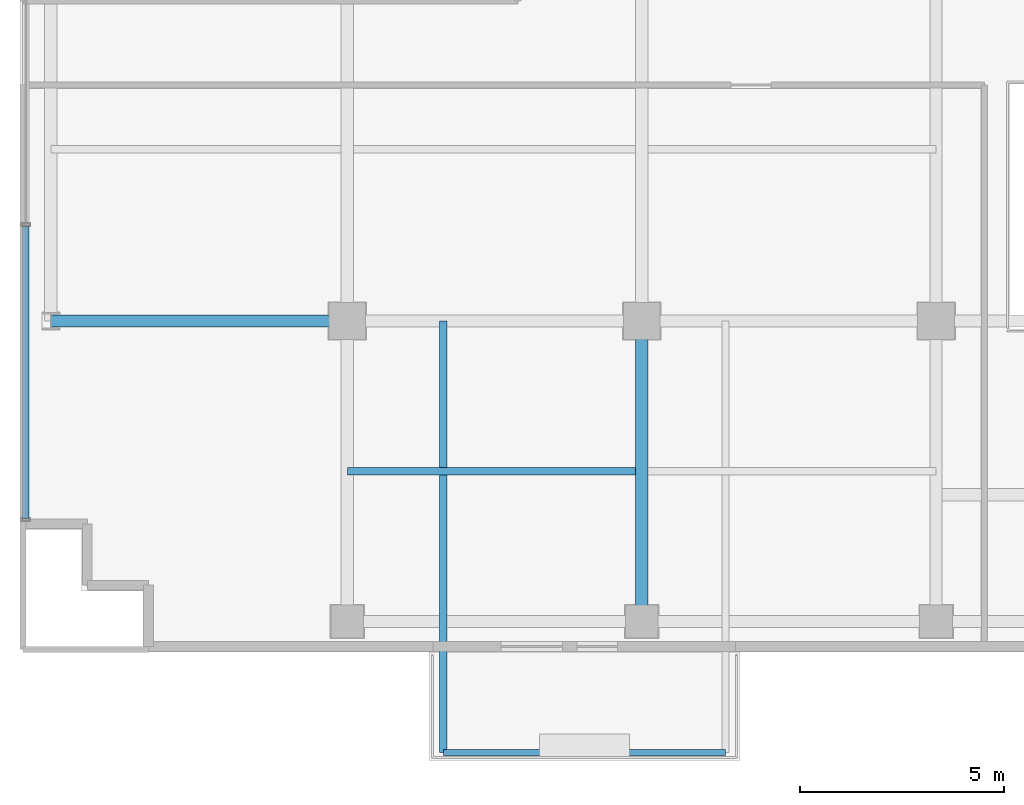
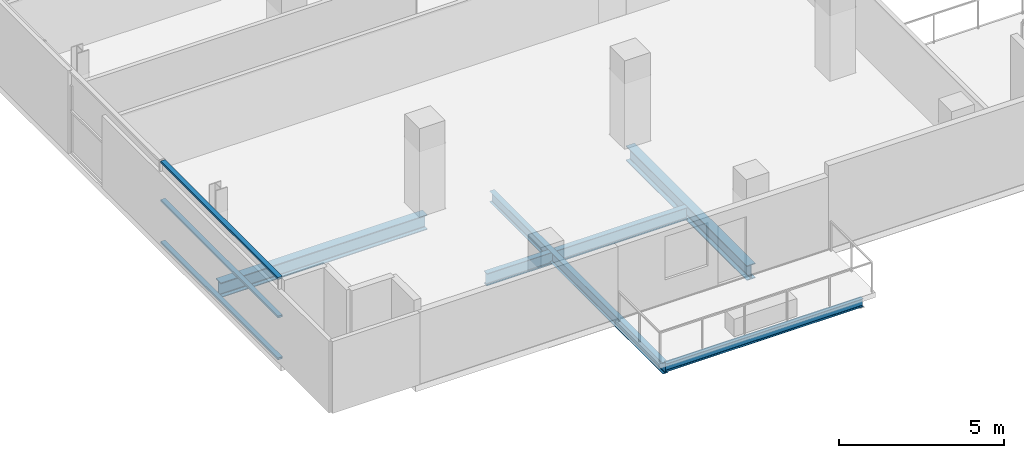
# One storey, part 3 of 27: 5 beams, 3 members, 1 element without a shape of its own.
"""IFC4 building model written with IfcOpenShell, lengths in metres."""

from ifc_helpers import new_model, si_unit, direction, frame, origin, origin_2d, place, context, subcontext, project, spatial, hollow_rectangle, i_section, extrude, source, transform, mapped, material, layer, layer_set, material_profile, profile_set, type_object, element, aggregate, save


model = new_model("IFC4")

# Units and contexts
model_context = context("Model", 3, precision=1e-05, world=origin(), true_north=direction((0.0, 1.0)))
body_context = subcontext(model_context, "Body", "Model", "MODEL_VIEW")
ifc_project = project(units=[si_unit("LENGTHUNIT", "METRE"), si_unit("AREAUNIT", "SQUARE_METRE"), si_unit("VOLUMEUNIT", "CUBIC_METRE"), si_unit("PLANEANGLEUNIT", "RADIAN"), si_unit("MASSUNIT", "GRAM", prefix="KILO")], contexts=[model_context])

# Site, building, storey
site_placement = place(None, origin())
site = spatial("IfcSite", under=ifc_project, at=site_placement, CompositionType="ELEMENT")
building_placement = place(site_placement, origin())
building = spatial("IfcBuilding", under=site, at=building_placement, Name="Zarnakvel Exchange Tower", CompositionType="ELEMENT")
storey_placement = place(building_placement, frame((0.0, 0.0, 106.60009765625)))
storey = spatial("IfcBuildingStorey", under=building, at=storey_placement, Name="L29", CompositionType="ELEMENT", Elevation=106.60009765625)

# Beams
ifc_material_1 = material(Name="Steel S355", Category="steel")
ifc_material_profile_1 = material_profile(ifc_material_1, i_section(OverallWidth=0.18994140625, OverallDepth=0.449951171875, WebThickness=0.009521484375, FlangeThickness=0.0146484375, FilletRadius=0.02099609375, at=origin_2d()))
ifc_profile_set_1 = profile_set([ifc_material_profile_1], Name="Steel S355")
beam_type_1 = type_object("IfcBeamType", Name="B-05", PredefinedType="JOIST", material=ifc_profile_set_1)
beam_1_placement = place(storey_placement, frame((-21.60009765625, -13.27490234375, -0.4501953125), z_axis=(1.0, 0.0, 0.0), x_axis=(0.0, 1.0, 0.0)))
element("IfcBeam", 1, at=beam_1_placement, inside=storey, type_object=beam_type_1, Name="L29 Composite Floor Secondary Joist", PredefinedType="JOIST", context=body_context, shape_type="SweptSolid", body=[
    extrude(i_section(OverallWidth=0.18994140625, OverallDepth=0.449951171875, WebThickness=0.009521484375, FlangeThickness=0.0146484375, FilletRadius=0.02099609375, at=origin_2d()), origin(), (0.0, 0.0, 1.0), 7.050048828125),
])
ifc_material_profile_2 = material_profile(ifc_material_1, i_section(OverallWidth=0.179931640625, OverallDepth=0.39990234375, WebThickness=0.008544921875, FlangeThickness=0.013427734375, FilletRadius=0.02099609375, at=origin_2d()))
ifc_profile_set_2 = profile_set([ifc_material_profile_2], Name="Steel S355")
beam_type_2 = type_object("IfcBeamType", Name="B-06", PredefinedType="JOIST", material=ifc_profile_set_2)
beam_2_placement = place(storey_placement, frame((-19.25, -9.60009765625, -0.425048828125), z_axis=(0.0, -1.0, 0.0), x_axis=(1.0, 0.0, 0.0)))
element("IfcBeam", 2, at=beam_2_placement, inside=storey, type_object=beam_type_2, Name="L29 Continuous Back-Spanned Balcony Beam W", PredefinedType="JOIST", context=body_context, shape_type="SweptSolid", body=[
    extrude(i_section(OverallWidth=0.179931640625, OverallDepth=0.39990234375, WebThickness=0.008544921875, FlangeThickness=0.013427734375, FilletRadius=0.02099609375, at=origin_2d()), origin(), (0.0, 0.0, 1.0), 10.5498046875),
])
ifc_material_profile_3 = material_profile(ifc_material_1, i_section(OverallWidth=0.14990234375, OverallDepth=0.300048828125, WebThickness=0.007080078125, FlangeThickness=0.0107421875, FilletRadius=0.014892578125, at=origin_2d()))
ifc_profile_set_3 = profile_set([ifc_material_profile_3], Name="Steel S355")
beam_type_3 = type_object("IfcBeamType", Name="B-08", PredefinedType="JOIST", material=ifc_profile_set_3)
beam_3_placement = place(storey_placement, frame((-19.25, -20.14990234375, -0.375), z_axis=(1.0, 0.0, 0.0), x_axis=(0.0, 1.0, 0.0)))
element("IfcBeam", 3, at=beam_3_placement, inside=storey, type_object=beam_type_3, Name="L29 Balcony Edge Beam", PredefinedType="JOIST", context=body_context, shape_type="SweptSolid", body=[
    extrude(i_section(OverallWidth=0.14990234375, OverallDepth=0.300048828125, WebThickness=0.007080078125, FlangeThickness=0.0107421875, FilletRadius=0.014892578125, at=origin_2d()), origin(), (0.0, 0.0, 1.0), 6.89990234375),
])
ifc_material_profile_4 = material_profile(ifc_material_1, i_section(OverallWidth=0.300048828125, OverallDepth=0.550048828125, WebThickness=0.014892578125, FlangeThickness=0.029052734375, FilletRadius=0.027099609375, at=origin_2d()))
ifc_profile_set_4 = profile_set([ifc_material_profile_4], Name="Steel S355")
beam_type_4 = type_object("IfcBeamType", Name="G-05", PredefinedType="BEAM", material=ifc_profile_set_4)
beam_4_placement = place(storey_placement, frame((-28.85009765625, -9.60009765625, -0.5), z_axis=(1.0, 0.0, 0.0), x_axis=(0.0, 1.0, 0.0)))
element("IfcBeam", 4, at=beam_4_placement, inside=storey, type_object=beam_type_4, Name="L29 Tower E-W Frame Beam", PredefinedType="BEAM", context=body_context, shape_type="SweptSolid", body=[
    extrude(i_section(OverallWidth=0.300048828125, OverallDepth=0.550048828125, WebThickness=0.014892578125, FlangeThickness=0.029052734375, FilletRadius=0.027099609375, at=origin_2d()), origin(), (0.0, 0.0, 1.0), 7.25),
])
beam_5_placement = place(storey_placement, frame((-14.39990234375, -16.949951171875, -0.5), z_axis=(0.0, 1.0, 0.0), x_axis=(-1.0, 0.0, 0.0)))
element("IfcBeam", 5, at=beam_5_placement, inside=storey, type_object=beam_type_4, Name="L29 Tower N-S Frame Beam", PredefinedType="BEAM", context=body_context, shape_type="SweptSolid", body=[
    extrude(i_section(OverallWidth=0.300048828125, OverallDepth=0.550048828125, WebThickness=0.014892578125, FlangeThickness=0.029052734375, FilletRadius=0.027099609375, at=origin_2d()), origin(), (0.0, 0.0, 1.0), 7.349853515625),
])

# Curtain wall, members
ifc_material_2 = material(Name="Architectural Bronze Anodised Aluminium", Category="aluminium")
ifc_layer = layer(ifc_material_2, 0.199951171875)
ifc_layer_set = layer_set([ifc_layer], Name="Architectural Bronze Anodised Aluminium")
curtain_wall_type = type_object("IfcCurtainWallType", Name="CW-04", PredefinedType="NOTDEFINED", material=ifc_layer_set)
curtain_wall_placement = place(storey_placement, origin())
curtain_wall = element("IfcCurtainWall", 6, at=curtain_wall_placement, inside=storey, type_object=curtain_wall_type, Name="L29 Curtain Wall CW-L29-W1 (CW-04)", PredefinedType="NOTDEFINED")
ifc_material_profile_5 = material_profile(ifc_material_2, hollow_rectangle(XDim=0.159912109375, YDim=0.074951171875, WallThickness=0.00390625, at=origin_2d()))
ifc_profile_set_5 = profile_set([ifc_material_profile_5], Name="Architectural Bronze Anodised Aluminium")
member_type = type_object("IfcMemberType", Name="CWT-04", PredefinedType="USERDEFINED", material=ifc_profile_set_5)
shared_shape = source(origin(), body_context, "Body", "SweptSolid", [
    extrude(hollow_rectangle(XDim=0.159912109375, YDim=0.074951171875, WallThickness=0.00390625, at=origin_2d()), origin(), (0.0, 0.0, 1.0), 7.137451171875),
])
member_1_placement = place(storey_placement, frame((-29.4599609375, -14.425048828125, 0.037353515625), z_axis=(0.0, 1.0, 0.0), x_axis=(-1.0, 0.0, 0.0)))
member_1 = element("IfcMember", 7, at=member_1_placement, type_object=member_type, Name="CW-04 transom 1.1", ObjectType="TRANSOM", PredefinedType="USERDEFINED", context=body_context, shape_type="MappedRepresentation", body=[
    mapped(shared_shape, transform((0.0, 0.0, 0.0), x_axis=(1.0, 0.0, 0.0), y_axis=(0.0, 1.0, 0.0), z_axis=(0.0, 0.0, 1.0), scale=1.0)),
])
member_2_placement = place(storey_placement, frame((-29.4599609375, -14.425048828125, 1.588623046875), z_axis=(0.0, 1.0, 0.0), x_axis=(-1.0, 0.0, 0.0)))
member_2 = element("IfcMember", 8, at=member_2_placement, type_object=member_type, Name="CW-04 transom 1.2", ObjectType="TRANSOM", PredefinedType="USERDEFINED", context=body_context, shape_type="MappedRepresentation", body=[
    mapped(shared_shape, transform((0.0, 0.0, 0.0), x_axis=(1.0, 0.0, 0.0), y_axis=(0.0, 1.0, 0.0), z_axis=(0.0, 0.0, 1.0), scale=1.0)),
])
member_3_placement = place(storey_placement, frame((-29.4599609375, -14.425048828125, 3.017333984375), z_axis=(0.0, 1.0, 0.0), x_axis=(-1.0, 0.0, 0.0)))
member_3 = element("IfcMember", 9, at=member_3_placement, type_object=member_type, Name="CW-04 transom 1.3", ObjectType="TRANSOM", PredefinedType="USERDEFINED", context=body_context, shape_type="MappedRepresentation", body=[
    mapped(shared_shape, transform((0.0, 0.0, 0.0), x_axis=(1.0, 0.0, 0.0), y_axis=(0.0, 1.0, 0.0), z_axis=(0.0, 0.0, 1.0), scale=1.0)),
])
aggregate(curtain_wall, [member_1, member_2, member_3])

save(model, "model.ifc")
